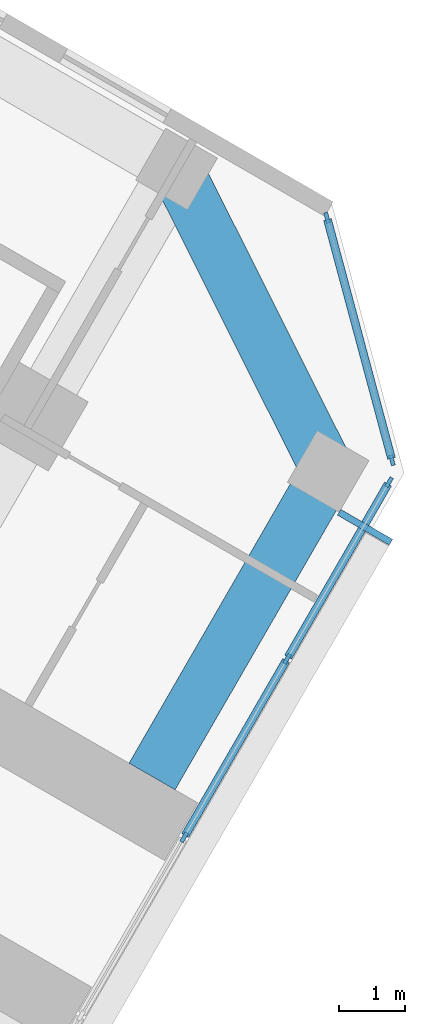
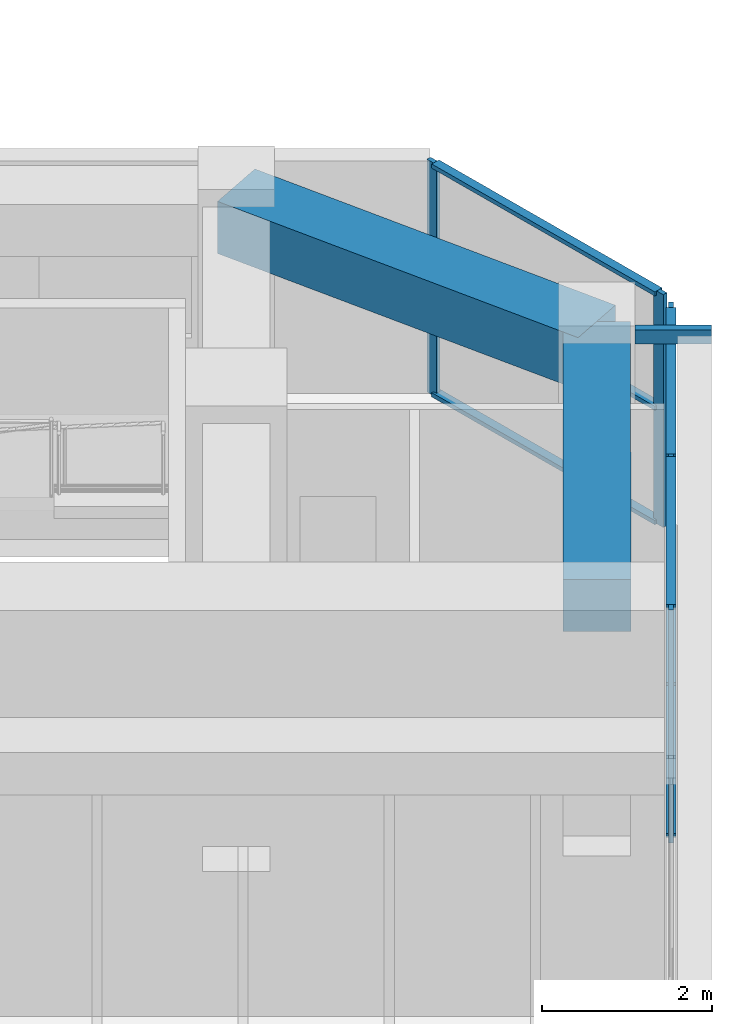
# One storey, part 8 of 21: 13 members, 2 beams, 2 elements without a shape of their own.
"""IFC4 building model written with IfcOpenShell, lengths in metres."""

from ifc_helpers import new_model, si_unit, direction, frame, origin, origin_2d, place, context, subcontext, project, spatial, rectangle, hollow_rectangle, extrude, material, material_profile, profile_set, type_object, element, aggregate, save


model = new_model("IFC4")

# Units and contexts
model_context = context("Model", 3, precision=1e-05, world=origin(), true_north=direction((0.0, 1.0)))
body_context = subcontext(model_context, "Body", "Model", "MODEL_VIEW")
ifc_project = project(units=[si_unit("LENGTHUNIT", "METRE"), si_unit("AREAUNIT", "SQUARE_METRE"), si_unit("VOLUMEUNIT", "CUBIC_METRE"), si_unit("PLANEANGLEUNIT", "RADIAN"), si_unit("MASSUNIT", "GRAM", prefix="KILO")], contexts=[model_context])

# Site, building, storey
site_placement = place(None, origin())
site = spatial("IfcSite", under=ifc_project, at=site_placement, CompositionType="ELEMENT")
building_placement = place(site_placement, origin())
building = spatial("IfcBuilding", under=site, at=building_placement, Name="Kosmar Iwan School Tower", CompositionType="ELEMENT")
storey_placement = place(building_placement, frame((0.0, 0.0, 98.800048828125)))
storey = spatial("IfcBuildingStorey", under=building, at=storey_placement, Name="L24", CompositionType="ELEMENT", Elevation=98.800048828125)

# Member
ifc_material_1 = material(Name="Steel S355", Category="steel")
ifc_material_profile_1 = material_profile(ifc_material_1, hollow_rectangle(XDim=0.10009765625, YDim=0.199951171875, WallThickness=0.008056640625, at=origin_2d()), Name="RHS 200x100x8")
ifc_profile_set_1 = profile_set([ifc_material_profile_1], Name="Steel S355")
member_type_1 = type_object("IfcMemberType", Name="Fin bracket RHS 200x100", PredefinedType="USERDEFINED", material=ifc_profile_set_1)
member_1_placement = place(storey_placement, frame((32.963134765625, -11.006103515625, 3.474853515625), z_axis=(0.866081705922, -0.499902469156, 0.0), x_axis=(0.499902469156, 0.866081705922, 0.0)))
element("IfcMember", 1, at=member_1_placement, inside=storey, type_object=member_type_1, Name="Fin bracket L25", ObjectType="FIN BRACKET", PredefinedType="USERDEFINED", context=body_context, shape_type="SweptSolid", body=[
    extrude(hollow_rectangle(XDim=0.10009765625, YDim=0.199951171875, WallThickness=0.008056640625, at=origin_2d()), origin(), (0.0, 0.0, 1.0), 0.900146484375),
])

# Curtain wall, members
ifc_material_2 = material(Name="Dark glass in black aluminium frame", Category="aluminium")
curtain_wall_type_1 = type_object("IfcCurtainWallType", Name="Tower curtain wall dark glass", PredefinedType="USERDEFINED", material=ifc_material_2)
curtain_wall_1_placement = place(storey_placement, origin())
curtain_wall_1 = element("IfcCurtainWall", 2, at=curtain_wall_1_placement, inside=storey, type_object=curtain_wall_type_1, Name="Curtain wall L24-F03", ObjectType="UNITISED CURTAIN WALL", PredefinedType="USERDEFINED")
ifc_material_3 = material(Name="Black anodised aluminium", Category="aluminium")
ifc_material_profile_2 = material_profile(ifc_material_3, rectangle(XDim=0.06005859375, YDim=0.159912109375, at=origin_2d()), Name="MULLION 60x160")
ifc_profile_set_2 = profile_set([ifc_material_profile_2], Name="Black anodised aluminium")
member_type_2 = type_object("IfcMemberType", Name="Mullion 60x160", PredefinedType="MULLION", material=ifc_profile_set_2)
member_2_placement = place(storey_placement, frame((30.631103515625, -15.8955078125, 0.0), z_axis=(0.0, 0.0, 1.0), x_axis=(-0.866025405329, 0.499999997325, 0.0)))
member_2 = element("IfcMember", 3, at=member_2_placement, type_object=member_type_2, Name="CW1 mullion 4", PredefinedType="MULLION", context=body_context, shape_type="SweptSolid", body=[
    extrude(rectangle(XDim=0.06005859375, YDim=0.159912109375, at=origin_2d()), origin(), (0.0, 0.0, 1.0), 3.349853515625),
])
member_3_placement = place(storey_placement, frame((32.1806640625, -13.21142578125, 0.0), z_axis=(0.0, 0.0, 1.0), x_axis=(-0.866025405329, 0.499999997325, 0.0)))
member_3 = element("IfcMember", 4, at=member_3_placement, type_object=member_type_2, Name="CW1 mullion 5", PredefinedType="MULLION", context=body_context, shape_type="SweptSolid", body=[
    extrude(rectangle(XDim=0.06005859375, YDim=0.159912109375, at=origin_2d()), origin(), (0.0, 0.0, 1.0), 3.349853515625),
])
member_4_placement = place(storey_placement, frame((33.71533203125, -10.55322265625, 0.0), z_axis=(0.0, 0.0, 1.0), x_axis=(-0.866025405329, 0.499999997325, 0.0)))
member_4 = element("IfcMember", 5, at=member_4_placement, type_object=member_type_2, Name="CW1 mullion 6", PredefinedType="MULLION", context=body_context, shape_type="SweptSolid", body=[
    extrude(rectangle(XDim=0.06005859375, YDim=0.159912109375, at=origin_2d()), origin(), (0.0, 0.0, 1.0), 3.349853515625),
])

ifc_material_4 = material(Name="Dark glass in black aluminium frame", Category="aluminium")
curtain_wall_type_2 = type_object("IfcCurtainWallType", Name="Chamfer curtain wall dark glass", PredefinedType="USERDEFINED", material=ifc_material_4)
curtain_wall_2_placement = place(storey_placement, origin())
curtain_wall_2 = element("IfcCurtainWall", 6, at=curtain_wall_2_placement, inside=storey, type_object=curtain_wall_type_2, Name="Curtain wall L24-F04", ObjectType="FACETED CURTAIN WALL", PredefinedType="USERDEFINED")
member_5_placement = place(storey_placement, frame((33.7587890625, -10.2236328125, 0.0), z_axis=(0.0, 0.0, 1.0), x_axis=(-0.965925875495, -0.258818861462, 0.0)))
member_5 = element("IfcMember", 7, at=member_5_placement, type_object=member_type_2, Name="CW2 mullion 1", PredefinedType="MULLION", context=body_context, shape_type="SweptSolid", body=[
    extrude(rectangle(XDim=0.06005859375, YDim=0.159912109375, at=origin_2d()), origin(), (0.0, 0.0, 1.0), 3.349853515625),
])
member_6_placement = place(storey_placement, frame((32.78076171875, -6.5732421875, 0.0), z_axis=(0.0, 0.0, 1.0), x_axis=(-0.965925875495, -0.258818861462, 0.0)))
member_6 = element("IfcMember", 8, at=member_6_placement, type_object=member_type_2, Name="CW2 mullion 2", PredefinedType="MULLION", context=body_context, shape_type="SweptSolid", body=[
    extrude(rectangle(XDim=0.06005859375, YDim=0.159912109375, at=origin_2d()), origin(), (0.0, 0.0, 1.0), 3.349853515625),
])

# Beams
ifc_material_5 = material(Name="Concrete C50/60", Category="concrete")
ifc_material_profile_3 = material_profile(ifc_material_5, rectangle(XDim=0.800048828125, YDim=0.75, at=origin_2d()), Name="RC 800x750")
ifc_profile_set_3 = profile_set([ifc_material_profile_3], Name="Concrete C50/60")
beam_type = type_object("IfcBeamType", Name="RC tip beam 800x750", PredefinedType="BEAM", material=ifc_profile_set_3)
beam_1_placement = place(storey_placement, frame((30.517822265625, -5.841552734375, 2.974853515625), z_axis=(0.44809604203, -0.893985423325, 0.0), x_axis=(0.893985423325, 0.44809604203, 0.0)))
element("IfcBeam", 9, at=beam_1_placement, inside=storey, type_object=beam_type, Name="Tip beam CL", PredefinedType="BEAM", context=body_context, shape_type="SweptSolid", body=[
    extrude(rectangle(XDim=0.800048828125, YDim=0.75, at=origin_2d()), origin(), (0.0, 0.0, 1.0), 5.08935546875),
])
beam_2_placement = place(storey_placement, frame((32.79833984375, -10.391357421875, 2.974853515625), z_axis=(-0.499973660256, -0.866040610509, 0.0), x_axis=(0.866040610509, -0.499973660256, 0.0)))
element("IfcBeam", 10, at=beam_2_placement, inside=storey, type_object=beam_type, Name="Tip beam CL to corridor wall", PredefinedType="BEAM", context=body_context, shape_type="SweptSolid", body=[
    extrude(rectangle(XDim=0.800048828125, YDim=0.75, at=origin_2d()), origin(), (0.0, 0.0, 1.0), 5.300048828125),
])

# Member
ifc_material_6 = material(Name="Black anodised aluminium", Category="aluminium")
ifc_material_profile_4 = material_profile(ifc_material_6, rectangle(XDim=0.1201171875, YDim=0.06005859375, at=origin_2d()), Name="TRANSOM 60x120")
ifc_profile_set_4 = profile_set([ifc_material_profile_4], Name="Black anodised aluminium")
member_type_3 = type_object("IfcMemberType", Name="Transom 60x120", PredefinedType="USERDEFINED", material=ifc_profile_set_4)
member_7_placement = place(storey_placement, frame((30.64599609375, -15.869384765625, 0.030029296875), z_axis=(0.500035348339, 0.866004994449, 0.0), x_axis=(-0.866004994449, 0.500035348339, 0.0)))
member_7 = element("IfcMember", 11, at=member_7_placement, type_object=member_type_3, Name="CW1 transom 4.1", ObjectType="TRANSOM", PredefinedType="USERDEFINED", context=body_context, shape_type="SweptSolid", body=[
    extrude(rectangle(XDim=0.1201171875, YDim=0.06005859375, at=origin_2d()), origin(), (0.0, 0.0, 1.0), 3.039306640625),
])

member_8_placement = place(storey_placement, frame((30.64599609375, -15.869384765625, 3.320068359375), z_axis=(0.500035348339, 0.866004994449, 0.0), x_axis=(-0.866004994449, 0.500035348339, 0.0)))
member_8 = element("IfcMember", 12, at=member_8_placement, type_object=member_type_3, Name="CW1 transom 4.2", ObjectType="TRANSOM", PredefinedType="USERDEFINED", context=body_context, shape_type="SweptSolid", body=[
    extrude(rectangle(XDim=0.1201171875, YDim=0.06005859375, at=origin_2d()), origin(), (0.0, 0.0, 1.0), 3.039306640625),
])

member_9_placement = place(storey_placement, frame((32.19580078125, -13.185302734375, 0.030029296875), z_axis=(0.500022102064, 0.866012642776, 0.0), x_axis=(-0.866012642776, 0.500022102064, 0.0)))
member_9 = element("IfcMember", 13, at=member_9_placement, type_object=member_type_3, Name="CW1 transom 5.1", ObjectType="TRANSOM", PredefinedType="USERDEFINED", context=body_context, shape_type="SweptSolid", body=[
    extrude(rectangle(XDim=0.1201171875, YDim=0.06005859375, at=origin_2d()), origin(), (0.0, 0.0, 1.0), 3.009033203125),
])

member_10_placement = place(storey_placement, frame((32.19580078125, -13.185302734375, 3.320068359375), z_axis=(0.500022102064, 0.866012642776, 0.0), x_axis=(-0.866012642776, 0.500022102064, 0.0)))
member_10 = element("IfcMember", 14, at=member_10_placement, type_object=member_type_3, Name="CW1 transom 5.2", ObjectType="TRANSOM", PredefinedType="USERDEFINED", context=body_context, shape_type="SweptSolid", body=[
    extrude(rectangle(XDim=0.1201171875, YDim=0.06005859375, at=origin_2d()), origin(), (0.0, 0.0, 1.0), 3.009033203125),
])

aggregate(curtain_wall_1, [member_2, member_3, member_4, member_7, member_8, member_9, member_10])

member_11_placement = place(storey_placement, frame((33.7509765625, -10.194580078125, 0.030029296875), z_axis=(-0.258843273983, 0.965919333854, 0.0), x_axis=(-0.965919333854, -0.258843273983, 0.0)))
member_11 = element("IfcMember", 15, at=member_11_placement, type_object=member_type_3, Name="CW2 transom 1.1", ObjectType="TRANSOM", PredefinedType="USERDEFINED", context=body_context, shape_type="SweptSolid", body=[
    extrude(rectangle(XDim=0.1201171875, YDim=0.06005859375, at=origin_2d()), origin(), (0.0, 0.0, 1.0), 3.718994140625),
])

member_12_placement = place(storey_placement, frame((33.7509765625, -10.194580078125, 1.675048828125), z_axis=(-0.258843273983, 0.965919333854, 0.0), x_axis=(-0.965919333854, -0.258843273983, 0.0)))
member_12 = element("IfcMember", 16, at=member_12_placement, type_object=member_type_3, Name="CW2 transom 1.2", ObjectType="TRANSOM", PredefinedType="USERDEFINED", context=body_context, shape_type="SweptSolid", body=[
    extrude(rectangle(XDim=0.1201171875, YDim=0.06005859375, at=origin_2d()), origin(), (0.0, 0.0, 1.0), 3.718994140625),
])

member_13_placement = place(storey_placement, frame((33.7509765625, -10.194580078125, 3.320068359375), z_axis=(-0.258843273983, 0.965919333854, 0.0), x_axis=(-0.965919333854, -0.258843273983, 0.0)))
member_13 = element("IfcMember", 17, at=member_13_placement, type_object=member_type_3, Name="CW2 transom 1.3", ObjectType="TRANSOM", PredefinedType="USERDEFINED", context=body_context, shape_type="SweptSolid", body=[
    extrude(rectangle(XDim=0.1201171875, YDim=0.06005859375, at=origin_2d()), origin(), (0.0, 0.0, 1.0), 3.718994140625),
])

aggregate(curtain_wall_2, [member_5, member_6, member_11, member_12, member_13])

save(model, "model.ifc")
